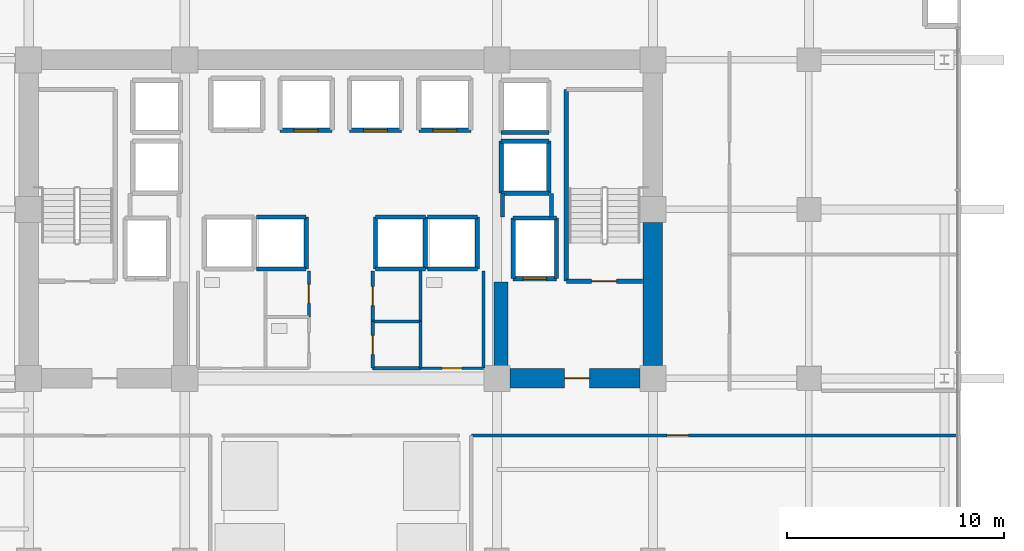
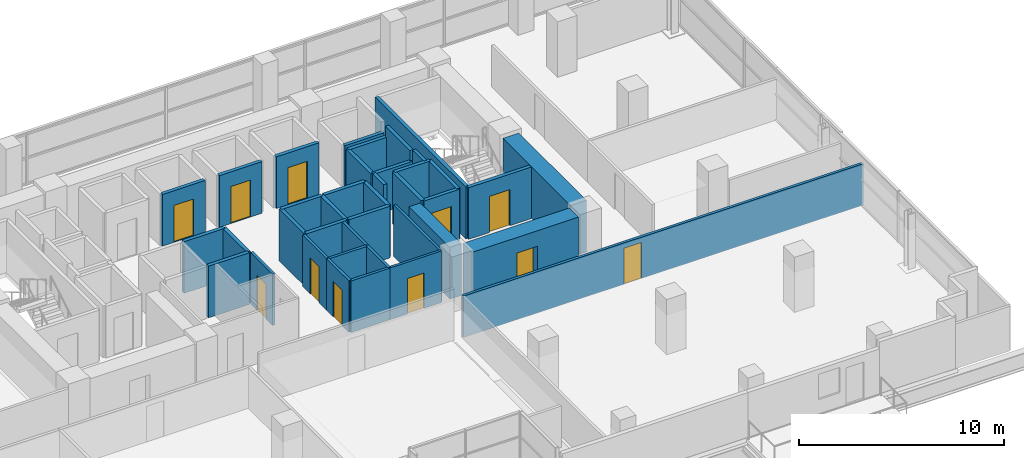
# One storey, part 26 of 32: 39 walls, 11 doors, 11 openings.
"""IFC4 building model written with IfcOpenShell, lengths in metres."""

from ifc_helpers import new_model, si_unit, direction, frame, frame_2d, origin, place, context, subcontext, project, spatial, rectangle, extrude, source, transform, mapped, material, layer, layer_set, type_object, element, fill, save


model = new_model("IFC4")

# Units and contexts
model_context = context("Model", 3, precision=1e-05, world=origin(), true_north=direction((0.0, 1.0)))
body_context = subcontext(model_context, "Body", "Model", "MODEL_VIEW")
ifc_project = project(units=[si_unit("LENGTHUNIT", "METRE"), si_unit("AREAUNIT", "SQUARE_METRE"), si_unit("VOLUMEUNIT", "CUBIC_METRE"), si_unit("PLANEANGLEUNIT", "RADIAN"), si_unit("MASSUNIT", "GRAM", prefix="KILO")], contexts=[model_context])

# Site, building, storey
site_placement = place(None, origin())
site = spatial("IfcSite", under=ifc_project, at=site_placement, CompositionType="ELEMENT")
building_placement = place(site_placement, origin())
building = spatial("IfcBuilding", under=site, at=building_placement, Name="Zarnakvel Exchange Tower", CompositionType="ELEMENT")
storey_placement = place(building_placement, frame((0.0, 0.0, 27.39990234375)))
storey = spatial("IfcBuildingStorey", under=building, at=storey_placement, Name="L06", CompositionType="ELEMENT", Elevation=27.39990234375)

# Wall
ifc_material_1 = material(Name="Concrete C80/95", Category="concrete")
ifc_layer_1 = layer(ifc_material_1, 0.89990234375)
ifc_layer_set_1 = layer_set([ifc_layer_1], Name="Concrete C80/95")
wall_type_1 = type_object("IfcWallType", Name="CW-C1", PredefinedType="SHEAR", material=ifc_layer_set_1)
wall_1_placement = place(storey_placement, frame((14.39990234375, -0.60009765625, 0.0), z_axis=(0.0, 0.0, 1.0), x_axis=(0.0, 1.0, 0.0)))
element("IfcWall", 1, at=wall_1_placement, inside=storey, type_object=wall_type_1, Name="L06 Rear Core Shear Wall E1 (CW-C1)", PredefinedType="SHEAR", context=body_context, shape_type="SweptSolid", body=[
    extrude(rectangle(XDim=6.60009765625, YDim=0.89990234375, at=frame_2d((3.300048828125, 0.0))), origin(), (0.0, 0.0, 1.0), 3.0751953125),
])

# Wall, opening, door
wall_2_placement = place(storey_placement, frame((13.800048828125, -1.199951171875, 0.0), z_axis=(0.0, 0.0, 1.0), x_axis=(-1.0, 0.0, 0.0)))
wall_2 = element("IfcWall", 2, at=wall_2_placement, inside=storey, type_object=wall_type_1, Name="L06 Rear Core Shear Wall SE (CW-C1)", PredefinedType="SHEAR", context=body_context, shape_type="SweptSolid", body=[
    extrude(rectangle(XDim=6.0, YDim=0.89990234375, at=frame_2d((3.0, 0.0))), origin(), (0.0, 0.0, 1.0), 3.0751953125),
])
opening_1_placement = place(wall_2_placement, frame((2.324951171875, 0.0, 0.0)))
opening_1 = element("IfcOpeningElement", 3, at=opening_1_placement, cuts=wall_2, Name="Opening D-L06-04", PredefinedType="OPENING", context=body_context, shape_type="SweptSolid", body=[
    extrude(rectangle(XDim=1.14990234375, YDim=2.14990234375, at=frame_2d((0.574951171875, 1.074951171875))), frame((0.0, 0.4599609375, 0.0), z_axis=(0.0, -1.0, 0.0), x_axis=(1.0, 0.0, 0.0)), (0.0, 0.0, 1.0), 0.919921875),
])
ifc_material_2 = material(Name="Painted Galvanised Steel S355", Category="steel")
door_type_1 = type_object("IfcDoorType", Name="DT-04", OperationType="NOTDEFINED", PredefinedType="DOOR", material=ifc_material_2)
shared_shape_1 = source(origin(), body_context, "Body", "SweptSolid", [
    extrude(rectangle(XDim=1.14990234375, YDim=2.14990234375, at=frame_2d((0.574951171875, 1.074951171875))), frame((0.0, 0.02490234375, 0.0), z_axis=(0.0, -1.0, 0.0), x_axis=(1.0, 0.0, 0.0)), (0.0, 0.0, 1.0), 0.050048828125),
])
door_1_placement = place(opening_1_placement, origin())
door_1 = element("IfcDoor", 4, at=door_1_placement, inside=storey, type_object=door_type_1, Name="L06 Firefighting Lobby East Door D-L06-04", OperationType="SINGLE_SWING_LEFT", OverallHeight=2.14990234375, OverallWidth=1.14990234375, PredefinedType="DOOR", context=body_context, shape_type="MappedRepresentation", body=[
    mapped(shared_shape_1, transform((0.0, 0.0, 0.0), x_axis=(1.0, 0.0, 0.0), y_axis=(0.0, 1.0, 0.0), z_axis=(0.0, 0.0, 1.0), scale=1.0)),
])
fill(opening_1, door_1)

# Wall
ifc_layer_2 = layer(ifc_material_1, 0.64990234375)
ifc_layer_set_2 = layer_set([ifc_layer_2], Name="Concrete C80/95")
wall_type_2 = type_object("IfcWallType", Name="CW-C2", PredefinedType="SHEAR", material=ifc_layer_set_2)
wall_3_placement = place(storey_placement, frame((7.39990234375, -0.75, 0.0), z_axis=(0.0, 0.0, 1.0), x_axis=(0.0, 1.0, 0.0)))
element("IfcWall", 5, at=wall_3_placement, inside=storey, type_object=wall_type_2, Name="L06 Rear Core Shear Wall IE (CW-C2)", PredefinedType="SHEAR", context=body_context, shape_type="SweptSolid", body=[
    extrude(rectangle(XDim=4.0, YDim=0.64990234375, at=frame_2d((2.0, 0.0))), origin(), (0.0, 0.0, 1.0), 3.0751953125),
])

# Wall, opening, door
ifc_material_3 = material(Name="Fire-Rated Gypsum Stud Partition", Category="gypsum")
ifc_layer_3 = layer(ifc_material_3, 0.14990234375)
ifc_layer_set_3 = layer_set([ifc_layer_3], Name="Fire-Rated Gypsum Stud Partition")
wall_type_3 = type_object("IfcWallType", Name="PT-01", PredefinedType="PARTITIONING", material=ifc_layer_set_3)
wall_4_placement = place(storey_placement, frame((-1.469970703125, 3.760009765625, 0.0), z_axis=(0.0, 0.0, 1.0), x_axis=(0.0, -1.0, 0.0)))
wall_4 = element("IfcWall", 6, at=wall_4_placement, inside=storey, type_object=wall_type_3, Name="L06 Partition Wall PWALL-L06-017 (PT-01)", PredefinedType="PARTITIONING", context=body_context, shape_type="SweptSolid", body=[
    extrude(rectangle(XDim=2.130126953125, YDim=0.14990234375, at=frame_2d((1.06494140625, 0.0))), origin(), (0.0, 0.0, 1.0), 3.0751953125),
])
opening_2_placement = place(wall_4_placement, frame((0.6201171875, 0.0, 0.0)))
opening_2 = element("IfcOpeningElement", 7, at=opening_2_placement, cuts=wall_4, Name="Opening D-L06-07", PredefinedType="OPENING", context=body_context, shape_type="SweptSolid", body=[
    extrude(rectangle(XDim=0.8798828125, YDim=2.10009765625, at=frame_2d((0.43994140625, 1.050048828125))), frame((0.0, 0.0849609375, 0.0), z_axis=(0.0, -1.0, 0.0), x_axis=(1.0, 0.0, 0.0)), (0.0, 0.0, 1.0), 0.169921875),
])
door_type_2 = type_object("IfcDoorType", Name="DT-08", OperationType="NOTDEFINED", PredefinedType="DOOR", material=ifc_material_2)
shared_shape_2 = source(origin(), body_context, "Body", "SweptSolid", [
    extrude(rectangle(XDim=0.8798828125, YDim=2.10009765625, at=frame_2d((0.43994140625, 1.050048828125))), frame((0.0, 0.02490234375, 0.0), z_axis=(0.0, -1.0, 0.0), x_axis=(1.0, 0.0, 0.0)), (0.0, 0.0, 1.0), 0.050048828125),
])
door_2_placement = place(opening_2_placement, origin())
door_2 = element("IfcDoor", 8, at=door_2_placement, inside=storey, type_object=door_type_2, Name="L06 Core Comms Room Door D-L06-07", OperationType="SINGLE_SWING_RIGHT", OverallHeight=2.10009765625, OverallWidth=0.8798828125, PredefinedType="DOOR", context=body_context, shape_type="MappedRepresentation", body=[
    mapped(shared_shape_2, transform((0.0, 0.0, 0.0), x_axis=(1.0, 0.0, 0.0), y_axis=(0.0, 1.0, 0.0), z_axis=(0.0, 0.0, 1.0), scale=1.0)),
])
fill(opening_2, door_2)

# Walls
for number, where, z_axis, x_axis, name in (
    (9, (3.679931640625, -0.72998046875, 0.0), (0.0, 0.0, 1.0), (-1.0, 0.0, 0.0), "L06 Partition Wall PWALL-L06-018 (PT-01)"),
    (10, (1.469970703125, 1.429931640625, 0.0), (0.0, 0.0, 1.0), (1.0, 0.0, 0.0), "L06 Partition Wall PWALL-L06-019 (PT-01)"),
):
    element("IfcWall", number, at=place(storey_placement, frame(where, z_axis=z_axis, x_axis=x_axis)), inside=storey, type_object=wall_type_3, Name=name, PredefinedType="PARTITIONING", context=body_context, shape_type="SweptSolid", body=[
        extrude(rectangle(XDim=2.2099609375, YDim=0.14990234375, at=frame_2d((1.10498046875, 0.0))), origin(), (0.0, 0.0, 1.0), 3.0751953125),
    ])

# Wall, opening, door
wall_5_placement = place(storey_placement, frame((1.469970703125, -0.72998046875, 0.0), z_axis=(0.0, 0.0, 1.0), x_axis=(0.0, 1.0, 0.0)))
wall_5 = element("IfcWall", 11, at=wall_5_placement, inside=storey, type_object=wall_type_3, Name="L06 Partition Wall PWALL-L06-020 (PT-01)", PredefinedType="PARTITIONING", context=body_context, shape_type="SweptSolid", body=[
    extrude(rectangle(XDim=2.159912109375, YDim=0.14990234375, at=frame_2d((1.080078125, 0.0))), origin(), (0.0, 0.0, 1.0), 3.0751953125),
])
opening_3_placement = place(wall_5_placement, frame((0.639892578125, 0.0, 0.0)))
opening_3 = element("IfcOpeningElement", 12, at=opening_3_placement, cuts=wall_5, Name="Opening D-L06-08", PredefinedType="OPENING", context=body_context, shape_type="SweptSolid", body=[
    extrude(rectangle(XDim=0.8798828125, YDim=2.10009765625, at=frame_2d((0.43994140625, 1.050048828125))), frame((0.0, 0.0849609375, 0.0), z_axis=(0.0, -1.0, 0.0), x_axis=(1.0, 0.0, 0.0)), (0.0, 0.0, 1.0), 0.169921875),
])
door_3_placement = place(opening_3_placement, origin())
door_3 = element("IfcDoor", 13, at=door_3_placement, inside=storey, type_object=door_type_2, Name="L06 Janitor Store Door D-L06-08", OperationType="SINGLE_SWING_LEFT", OverallHeight=2.10009765625, OverallWidth=0.8798828125, PredefinedType="DOOR", context=body_context, shape_type="MappedRepresentation", body=[
    mapped(shared_shape_2, transform((0.0, 0.0, 0.0), x_axis=(1.0, 0.0, 0.0), y_axis=(0.0, 1.0, 0.0), z_axis=(0.0, 0.0, 1.0), scale=1.0)),
])
fill(opening_3, door_3)

# Wall
wall_6_placement = place(storey_placement, frame((3.679931640625, 1.429931640625, 0.0), z_axis=(0.0, 0.0, 1.0), x_axis=(0.0, -1.0, 0.0)))
element("IfcWall", 14, at=wall_6_placement, inside=storey, type_object=wall_type_3, Name="L06 Partition Wall PWALL-L06-021 (PT-01)", PredefinedType="PARTITIONING", context=body_context, shape_type="SweptSolid", body=[
    extrude(rectangle(XDim=2.159912109375, YDim=0.14990234375, at=frame_2d((1.080078125, 0.0))), origin(), (0.0, 0.0, 1.0), 3.0751953125),
])

# Wall, opening, door
wall_7_placement = place(storey_placement, frame((1.469970703125, 1.429931640625, 0.0), z_axis=(0.0, 0.0, 1.0), x_axis=(0.0, 1.0, 0.0)))
wall_7 = element("IfcWall", 15, at=wall_7_placement, inside=storey, type_object=wall_type_3, Name="L06 Partition Wall PWALL-L06-022 (PT-01)", PredefinedType="PARTITIONING", context=body_context, shape_type="SweptSolid", body=[
    extrude(rectangle(XDim=2.330078125, YDim=0.14990234375, at=frame_2d((1.1650390625, 0.0))), origin(), (0.0, 0.0, 1.0), 3.0751953125),
])
opening_4_placement = place(wall_7_placement, frame((0.72998046875, 0.0, 0.0)))
opening_4 = element("IfcOpeningElement", 16, at=opening_4_placement, cuts=wall_7, Name="Opening D-L06-09", PredefinedType="OPENING", context=body_context, shape_type="SweptSolid", body=[
    extrude(rectangle(XDim=0.8798828125, YDim=2.14990234375, at=frame_2d((0.43994140625, 1.074951171875))), frame((0.0, 0.0849609375, 0.0), z_axis=(0.0, -1.0, 0.0), x_axis=(1.0, 0.0, 0.0)), (0.0, 0.0, 1.0), 0.169921875),
])
ifc_material_4 = material(Name="Timber Acoustic Veneer", Category="wood")
door_type_3 = type_object("IfcDoorType", Name="DT-05", OperationType="NOTDEFINED", PredefinedType="DOOR", material=ifc_material_4)
shared_shape_3 = source(origin(), body_context, "Body", "SweptSolid", [
    extrude(rectangle(XDim=0.8798828125, YDim=2.14990234375, at=frame_2d((0.43994140625, 1.074951171875))), frame((0.0, 0.02490234375, 0.0), z_axis=(0.0, -1.0, 0.0), x_axis=(1.0, 0.0, 0.0)), (0.0, 0.0, 1.0), 0.050048828125),
])
door_4_placement = place(opening_4_placement, origin())
door_4 = element("IfcDoor", 17, at=door_4_placement, inside=storey, type_object=door_type_3, Name="L06 Stationery Store Door D-L06-09", OperationType="SINGLE_SWING_RIGHT", OverallHeight=2.14990234375, OverallWidth=0.8798828125, PredefinedType="DOOR", context=body_context, shape_type="MappedRepresentation", body=[
    mapped(shared_shape_3, transform((0.0, 0.0, 0.0), x_axis=(1.0, 0.0, 0.0), y_axis=(0.0, 1.0, 0.0), z_axis=(0.0, 0.0, 1.0), scale=1.0)),
])
fill(opening_4, door_4)

# Wall
wall_8_placement = place(storey_placement, frame((3.679931640625, 3.760009765625, 0.0), z_axis=(0.0, 0.0, 1.0), x_axis=(0.0, -1.0, 0.0)))
element("IfcWall", 18, at=wall_8_placement, inside=storey, type_object=wall_type_3, Name="L06 Partition Wall PWALL-L06-023 (PT-01)", PredefinedType="PARTITIONING", context=body_context, shape_type="SweptSolid", body=[
    extrude(rectangle(XDim=2.330078125, YDim=0.14990234375, at=frame_2d((1.1650390625, 0.0))), origin(), (0.0, 0.0, 1.0), 3.0751953125),
])

# Wall, opening, door
wall_9_placement = place(storey_placement, frame((6.02001953125, -3.830078125, 0.0), z_axis=(0.0, 0.0, 1.0), x_axis=(1.0, 0.0, 0.0)))
wall_9 = element("IfcWall", 19, at=wall_9_placement, inside=storey, type_object=wall_type_3, Name="L06 Partition Wall PWALL-L06-035 (PT-01)", PredefinedType="PARTITIONING", context=body_context, shape_type="SweptSolid", body=[
    extrude(rectangle(XDim=22.510009765625, YDim=0.14990234375, at=frame_2d((11.2548828125, 0.0))), origin(), (0.0, 0.0, 1.0), 2.465087890625),
])
opening_5_placement = place(wall_9_placement, frame((9.0400390625, 0.0, 0.0)))
opening_5 = element("IfcOpeningElement", 20, at=opening_5_placement, cuts=wall_9, Name="Opening D-L06-13", PredefinedType="OPENING", context=body_context, shape_type="SweptSolid", body=[
    extrude(rectangle(XDim=0.97998046875, YDim=2.14990234375, at=frame_2d((0.489990234375, 1.074951171875))), frame((0.0, 0.0849609375, 0.0), z_axis=(0.0, -1.0, 0.0), x_axis=(1.0, 0.0, 0.0)), (0.0, 0.0, 1.0), 0.169921875),
])
shared_shape_4 = source(origin(), body_context, "Body", "SweptSolid", [
    extrude(rectangle(XDim=0.97998046875, YDim=2.14990234375, at=frame_2d((0.489990234375, 1.074951171875))), frame((0.0, 0.02490234375, 0.0), z_axis=(0.0, -1.0, 0.0), x_axis=(1.0, 0.0, 0.0)), (0.0, 0.0, 1.0), 0.050048828125),
])
door_5_placement = place(opening_5_placement, origin())
door_5 = element("IfcDoor", 21, at=door_5_placement, inside=storey, type_object=door_type_3, Name="L06 Executive Office Door D-L06-13", OperationType="SINGLE_SWING_RIGHT", OverallHeight=2.14990234375, OverallWidth=0.97998046875, PredefinedType="DOOR", context=body_context, shape_type="MappedRepresentation", body=[
    mapped(shared_shape_4, transform((0.0, 0.0, 0.0), x_axis=(1.0, 0.0, 0.0), y_axis=(0.0, 1.0, 0.0), z_axis=(0.0, 0.0, 1.0), scale=1.0)),
])
fill(opening_5, door_5)

# Walls
ifc_layer_4 = layer(ifc_material_3, 0.179931640625)
ifc_layer_set_4 = layer_set([ifc_layer_4], Name="Fire-Rated Gypsum Stud Partition")
wall_type_4 = type_object("IfcWallType", Name="PT-02", PredefinedType="PARTITIONING", material=ifc_layer_set_4)
wall_10_placement = place(storey_placement, frame((7.469970703125, 6.239990234375, 0.0), z_axis=(0.0, 0.0, 1.0), x_axis=(0.0, 1.0, 0.0)))
element("IfcWall", 22, at=wall_10_placement, inside=storey, type_object=wall_type_4, Name="L06 Partition Wall PWALL-L06-009 (PT-02)", PredefinedType="PARTITIONING", context=body_context, shape_type="SweptSolid", body=[
    extrude(rectangle(XDim=1.090087890625, YDim=0.179931640625, at=frame_2d((0.544921875, 0.0))), origin(), (0.0, 0.0, 1.0), 2.465087890625),
])
wall_11_placement = place(storey_placement, frame((9.72998046875, 7.330078125, 0.0), z_axis=(0.0, 0.0, 1.0), x_axis=(0.0, -1.0, 0.0)))
element("IfcWall", 23, at=wall_11_placement, inside=storey, type_object=wall_type_4, Name="L06 Partition Wall PWALL-L06-010 (PT-02)", PredefinedType="PARTITIONING", context=body_context, shape_type="SweptSolid", body=[
    extrude(rectangle(XDim=1.090087890625, YDim=0.179931640625, at=frame_2d((0.544921875, 0.0))), origin(), (0.0, 0.0, 1.0), 3.0751953125),
])

# Wall, opening, door
ifc_material_5 = material(Name="Moisture-Resistant Tile-Faced Partition", Category="gypsum")
ifc_layer_5 = layer(ifc_material_5, 0.135009765625)
ifc_layer_set_5 = layer_set([ifc_layer_5], Name="Moisture-Resistant Tile-Faced Partition")
wall_type_5 = type_object("IfcWallType", Name="PT-03", PredefinedType="PARTITIONING", material=ifc_layer_set_5)
wall_12_placement = place(storey_placement, frame((6.580078125, -0.72998046875, 0.0), z_axis=(0.0, 0.0, 1.0), x_axis=(-1.0, 0.0, 0.0)))
wall_12 = element("IfcWall", 24, at=wall_12_placement, inside=storey, type_object=wall_type_5, Name="L06 Partition Wall PWALL-L06-024 (PT-03)", PredefinedType="PARTITIONING", context=body_context, shape_type="SweptSolid", body=[
    extrude(rectangle(XDim=2.900146484375, YDim=0.135009765625, at=frame_2d((1.4501953125, 0.0))), origin(), (0.0, 0.0, 1.0), 3.0751953125),
])
opening_6_placement = place(wall_12_placement, frame((0.989990234375, 0.0, 0.0)))
opening_6 = element("IfcOpeningElement", 25, at=opening_6_placement, cuts=wall_12, Name="Opening D-L06-10", PredefinedType="OPENING", context=body_context, shape_type="SweptSolid", body=[
    extrude(rectangle(XDim=0.919921875, YDim=2.10009765625, at=frame_2d((0.4599609375, 1.050048828125))), frame((0.0, 0.077392578125, 0.0), z_axis=(0.0, -1.0, 0.0), x_axis=(1.0, 0.0, 0.0)), (0.0, 0.0, 1.0), 0.155029296875),
])
ifc_material_6 = material(Name="Moisture-Resistant Laminate Timber", Category="wood")
door_type_4 = type_object("IfcDoorType", Name="DT-07", OperationType="NOTDEFINED", PredefinedType="DOOR", material=ifc_material_6)
shared_shape_5 = source(origin(), body_context, "Body", "SweptSolid", [
    extrude(rectangle(XDim=0.919921875, YDim=2.10009765625, at=frame_2d((0.4599609375, 1.050048828125))), frame((0.0, 0.02490234375, 0.0), z_axis=(0.0, -1.0, 0.0), x_axis=(1.0, 0.0, 0.0)), (0.0, 0.0, 1.0), 0.050048828125),
])
door_6_placement = place(opening_6_placement, origin())
door_6 = element("IfcDoor", 26, at=door_6_placement, inside=storey, type_object=door_type_4, Name="L06 Female Toilet Door D-L06-10", OperationType="SINGLE_SWING_LEFT", OverallHeight=2.10009765625, OverallWidth=0.919921875, PredefinedType="DOOR", context=body_context, shape_type="MappedRepresentation", body=[
    mapped(shared_shape_5, transform((0.0, 0.0, 0.0), x_axis=(1.0, 0.0, 0.0), y_axis=(0.0, 1.0, 0.0), z_axis=(0.0, 0.0, 1.0), scale=1.0)),
])
fill(opening_6, door_6)

# Wall
wall_13_placement = place(storey_placement, frame((6.580078125, 3.760009765625, 0.0), z_axis=(0.0, 0.0, 1.0), x_axis=(0.0, -1.0, 0.0)))
element("IfcWall", 27, at=wall_13_placement, inside=storey, type_object=wall_type_5, Name="L06 Partition Wall PWALL-L06-025 (PT-03)", PredefinedType="PARTITIONING", context=body_context, shape_type="SweptSolid", body=[
    extrude(rectangle(XDim=4.489990234375, YDim=0.135009765625, at=frame_2d((2.2451171875, 0.0))), origin(), (0.0, 0.0, 1.0), 3.0751953125),
])

# Wall, opening, door
ifc_material_7 = material(Name="Concrete C40/50", Category="concrete")
ifc_layer_6 = layer(ifc_material_7, 0.199951171875)
ifc_layer_set_6 = layer_set([ifc_layer_6], Name="Concrete C40/50")
wall_type_6 = type_object("IfcWallType", Name="SW-01", PredefinedType="SOLIDWALL", material=ifc_layer_set_6)
wall_14_placement = place(storey_placement, frame((9.949951171875, 3.39990234375, 0.0), z_axis=(0.0, 0.0, 1.0), x_axis=(-1.0, 0.0, 0.0)))
wall_14 = element("IfcWall", 28, at=wall_14_placement, inside=storey, type_object=wall_type_6, Name="L06 FL-02 Hoistway Wall South", PredefinedType="SOLIDWALL", context=body_context, shape_type="SweptSolid", body=[
    extrude(rectangle(XDim=2.0, YDim=0.199951171875, at=frame_2d((1.0, 0.0))), origin(), (0.0, 0.0, 1.0), 3.0751953125),
])
opening_7_placement = place(wall_14_placement, frame((0.449951171875, 0.0, 0.0)))
opening_7 = element("IfcOpeningElement", 29, at=opening_7_placement, cuts=wall_14, Name="Opening LD-FL-02-L06", PredefinedType="OPENING", context=body_context, shape_type="SweptSolid", body=[
    extrude(rectangle(XDim=1.10009765625, YDim=2.199951171875, at=frame_2d((0.550048828125, 1.10009765625))), frame((0.0, 0.10986328125, 0.0), z_axis=(0.0, -1.0, 0.0), x_axis=(1.0, 0.0, 0.0)), (0.0, 0.0, 1.0), 0.219970703125),
])
ifc_material_8 = material(Name="Brushed Stainless Steel", Category="steel")
door_type_5 = type_object("IfcDoorType", Name="LDT-01", OperationType="NOTDEFINED", PredefinedType="DOOR", material=ifc_material_8)
shared_shape_6 = source(origin(), body_context, "Body", "SweptSolid", [
    extrude(rectangle(XDim=1.10009765625, YDim=2.199951171875, at=frame_2d((0.550048828125, 1.10009765625))), frame((0.0, 0.02490234375, 0.0), z_axis=(0.0, -1.0, 0.0), x_axis=(1.0, 0.0, 0.0)), (0.0, 0.0, 1.0), 0.050048828125),
])
door_7_placement = place(opening_7_placement, origin())
door_7 = element("IfcDoor", 30, at=door_7_placement, inside=storey, type_object=door_type_5, Name="L06 FL-02 Lift Landing Door LD-FL-02-L06", OperationType="DOUBLE_DOOR_SLIDING", OverallHeight=2.199951171875, OverallWidth=1.10009765625, PredefinedType="DOOR", context=body_context, shape_type="MappedRepresentation", body=[
    mapped(shared_shape_6, transform((0.0, 0.0, 0.0), x_axis=(1.0, 0.0, 0.0), y_axis=(0.0, 1.0, 0.0), z_axis=(0.0, 0.0, 1.0), scale=1.0)),
])
fill(opening_7, door_7)

# Walls
wall_15_placement = place(storey_placement, frame((7.949951171875, 6.199951171875, 0.0), z_axis=(0.0, 0.0, 1.0), x_axis=(1.0, 0.0, 0.0)))
element("IfcWall", 31, at=wall_15_placement, inside=storey, type_object=wall_type_6, Name="L06 FL-02 Hoistway Wall North", PredefinedType="SOLIDWALL", context=body_context, shape_type="SweptSolid", body=[
    extrude(rectangle(XDim=2.0, YDim=0.199951171875, at=frame_2d((1.0, 0.0))), origin(), (0.0, 0.0, 1.0), 3.0751953125),
])
for number, where, z_axis, x_axis, name in (
    (32, (7.949951171875, 3.39990234375, 0.0), (0.0, 0.0, 1.0), (0.0, 1.0, 0.0), "L06 FL-02 Hoistway Wall West"),
    (33, (9.949951171875, 6.199951171875, 0.0), (0.0, 0.0, 1.0), (0.0, -1.0, 0.0), "L06 FL-02 Hoistway Wall East"),
):
    element("IfcWall", number, at=place(storey_placement, frame(where, z_axis=z_axis, x_axis=x_axis)), inside=storey, type_object=wall_type_6, Name=name, PredefinedType="SOLIDWALL", context=body_context, shape_type="SweptSolid", body=[
        extrude(rectangle(XDim=2.800048828125, YDim=0.199951171875, at=frame_2d((1.39990234375, 0.0))), origin(), (0.0, 0.0, 1.0), 3.0751953125),
    ])

# Wall, opening, door
wall_16_placement = place(storey_placement, frame((-0.39990234375, 10.25, 0.0), z_axis=(0.0, 0.0, 1.0), x_axis=(-1.0, 0.0, 0.0)))
wall_16 = element("IfcWall", 34, at=wall_16_placement, inside=storey, type_object=wall_type_6, Name="L06 PL-02 Hoistway Wall South", PredefinedType="SOLIDWALL", context=body_context, shape_type="SweptSolid", body=[
    extrude(rectangle(XDim=2.400146484375, YDim=0.199951171875, at=frame_2d((1.2001953125, 0.0))), origin(), (0.0, 0.0, 1.0), 3.0751953125),
])
opening_8_placement = place(wall_16_placement, frame((0.64990234375, 0.0, 0.0)))
opening_8 = element("IfcOpeningElement", 35, at=opening_8_placement, cuts=wall_16, Name="Opening LD-PL-02-L06", PredefinedType="OPENING", context=body_context, shape_type="SweptSolid", body=[
    extrude(rectangle(XDim=1.10009765625, YDim=2.199951171875, at=frame_2d((0.550048828125, 1.10009765625))), frame((0.0, 0.10986328125, 0.0), z_axis=(0.0, -1.0, 0.0), x_axis=(1.0, 0.0, 0.0)), (0.0, 0.0, 1.0), 0.219970703125),
])
ifc_material_9 = material(Name="Architectural Bronze Anodised Aluminium", Category="aluminium")
door_type_6 = type_object("IfcDoorType", Name="LDT-02", OperationType="NOTDEFINED", PredefinedType="DOOR", material=ifc_material_9)
door_8_placement = place(opening_8_placement, origin())
door_8 = element("IfcDoor", 36, at=door_8_placement, inside=storey, type_object=door_type_6, Name="L06 PL-02 Lift Landing Door LD-PL-02-L06", OperationType="DOUBLE_DOOR_SLIDING", OverallHeight=2.199951171875, OverallWidth=1.10009765625, PredefinedType="DOOR", context=body_context, shape_type="MappedRepresentation", body=[
    mapped(shared_shape_6, transform((0.0, 0.0, 0.0), x_axis=(1.0, 0.0, 0.0), y_axis=(0.0, 1.0, 0.0), z_axis=(0.0, 0.0, 1.0), scale=1.0)),
])
fill(opening_8, door_8)

wall_17_placement = place(storey_placement, frame((2.800048828125, 10.25, 0.0), z_axis=(0.0, 0.0, 1.0), x_axis=(-1.0, 0.0, 0.0)))
wall_17 = element("IfcWall", 37, at=wall_17_placement, inside=storey, type_object=wall_type_6, Name="L06 PL-03 Hoistway Wall South", PredefinedType="SOLIDWALL", context=body_context, shape_type="SweptSolid", body=[
    extrude(rectangle(XDim=2.400146484375, YDim=0.199951171875, at=frame_2d((1.2001953125, 0.0))), origin(), (0.0, 0.0, 1.0), 3.0751953125),
])
opening_9_placement = place(wall_17_placement, frame((0.64990234375, 0.0, 0.0)))
opening_9 = element("IfcOpeningElement", 38, at=opening_9_placement, cuts=wall_17, Name="Opening LD-PL-03-L06", PredefinedType="OPENING", context=body_context, shape_type="SweptSolid", body=[
    extrude(rectangle(XDim=1.10009765625, YDim=2.199951171875, at=frame_2d((0.550048828125, 1.10009765625))), frame((0.0, 0.10986328125, 0.0), z_axis=(0.0, -1.0, 0.0), x_axis=(1.0, 0.0, 0.0)), (0.0, 0.0, 1.0), 0.219970703125),
])
door_9_placement = place(opening_9_placement, origin())
door_9 = element("IfcDoor", 39, at=door_9_placement, inside=storey, type_object=door_type_6, Name="L06 PL-03 Lift Landing Door LD-PL-03-L06", OperationType="DOUBLE_DOOR_SLIDING", OverallHeight=2.199951171875, OverallWidth=1.10009765625, PredefinedType="DOOR", context=body_context, shape_type="MappedRepresentation", body=[
    mapped(shared_shape_6, transform((0.0, 0.0, 0.0), x_axis=(1.0, 0.0, 0.0), y_axis=(0.0, 1.0, 0.0), z_axis=(0.0, 0.0, 1.0), scale=1.0)),
])
fill(opening_9, door_9)

wall_18_placement = place(storey_placement, frame((6.0, 10.25, 0.0), z_axis=(0.0, 0.0, 1.0), x_axis=(-1.0, 0.0, 0.0)))
wall_18 = element("IfcWall", 40, at=wall_18_placement, inside=storey, type_object=wall_type_6, Name="L06 PL-04 Hoistway Wall South", PredefinedType="SOLIDWALL", context=body_context, shape_type="SweptSolid", body=[
    extrude(rectangle(XDim=2.39990234375, YDim=0.199951171875, at=frame_2d((1.199951171875, 0.0))), origin(), (0.0, 0.0, 1.0), 3.0751953125),
])
opening_10_placement = place(wall_18_placement, frame((0.64990234375, 0.0, 0.0)))
opening_10 = element("IfcOpeningElement", 41, at=opening_10_placement, cuts=wall_18, Name="Opening LD-PL-04-L06", PredefinedType="OPENING", context=body_context, shape_type="SweptSolid", body=[
    extrude(rectangle(XDim=1.10009765625, YDim=2.199951171875, at=frame_2d((0.550048828125, 1.10009765625))), frame((0.0, 0.10986328125, 0.0), z_axis=(0.0, -1.0, 0.0), x_axis=(1.0, 0.0, 0.0)), (0.0, 0.0, 1.0), 0.219970703125),
])
door_10_placement = place(opening_10_placement, origin())
door_10 = element("IfcDoor", 42, at=door_10_placement, inside=storey, type_object=door_type_6, Name="L06 PL-04 Lift Landing Door LD-PL-04-L06", OperationType="DOUBLE_DOOR_SLIDING", OverallHeight=2.199951171875, OverallWidth=1.10009765625, PredefinedType="DOOR", context=body_context, shape_type="MappedRepresentation", body=[
    mapped(shared_shape_6, transform((0.0, 0.0, 0.0), x_axis=(1.0, 0.0, 0.0), y_axis=(0.0, 1.0, 0.0), z_axis=(0.0, 0.0, 1.0), scale=1.0)),
])
fill(opening_10, door_10)

# Walls
for number, where, z_axis, x_axis, name in (
    (43, (-1.60009765625, 3.85009765625, 0.0), (0.0, 0.0, 1.0), (-1.0, 0.0, 0.0), "L06 PL-06 Hoistway Wall South"),
    (44, (-3.89990234375, 6.25, 0.0), (0.0, 0.0, 1.0), (1.0, 0.0, 0.0), "L06 PL-06 Hoistway Wall North"),
):
    element("IfcWall", number, at=place(storey_placement, frame(where, z_axis=z_axis, x_axis=x_axis)), inside=storey, type_object=wall_type_6, Name=name, PredefinedType="SOLIDWALL", context=body_context, shape_type="SweptSolid", body=[
        extrude(rectangle(XDim=2.2998046875, YDim=0.199951171875, at=frame_2d((1.14990234375, 0.0))), origin(), (0.0, 0.0, 1.0), 3.0751953125),
    ])
wall_19_placement = place(storey_placement, frame((-1.60009765625, 6.25, 0.0), z_axis=(0.0, 0.0, 1.0), x_axis=(0.0, -1.0, 0.0)))
element("IfcWall", 45, at=wall_19_placement, inside=storey, type_object=wall_type_6, Name="L06 PL-06 Hoistway Wall East", PredefinedType="SOLIDWALL", context=body_context, shape_type="SweptSolid", body=[
    extrude(rectangle(XDim=2.39990234375, YDim=0.199951171875, at=frame_2d((1.199951171875, 0.0))), origin(), (0.0, 0.0, 1.0), 3.0751953125),
])
for number, where, z_axis, x_axis, name in (
    (46, (3.89990234375, 3.85009765625, 0.0), (0.0, 0.0, 1.0), (-1.0, 0.0, 0.0), "L06 PL-07 Hoistway Wall South"),
    (47, (1.60009765625, 6.25, 0.0), (0.0, 0.0, 1.0), (1.0, 0.0, 0.0), "L06 PL-07 Hoistway Wall North"),
):
    element("IfcWall", number, at=place(storey_placement, frame(where, z_axis=z_axis, x_axis=x_axis)), inside=storey, type_object=wall_type_6, Name=name, PredefinedType="SOLIDWALL", context=body_context, shape_type="SweptSolid", body=[
        extrude(rectangle(XDim=2.2998046875, YDim=0.199951171875, at=frame_2d((1.14990234375, 0.0))), origin(), (0.0, 0.0, 1.0), 3.0751953125),
    ])
for number, where, z_axis, x_axis, name in (
    (48, (1.60009765625, 3.85009765625, 0.0), (0.0, 0.0, 1.0), (0.0, 1.0, 0.0), "L06 PL-07 Hoistway Wall West"),
    (49, (3.89990234375, 6.25, 0.0), (0.0, 0.0, 1.0), (0.0, -1.0, 0.0), "L06 PL-07 Hoistway Wall East"),
):
    element("IfcWall", number, at=place(storey_placement, frame(where, z_axis=z_axis, x_axis=x_axis)), inside=storey, type_object=wall_type_6, Name=name, PredefinedType="SOLIDWALL", context=body_context, shape_type="SweptSolid", body=[
        extrude(rectangle(XDim=2.39990234375, YDim=0.199951171875, at=frame_2d((1.199951171875, 0.0))), origin(), (0.0, 0.0, 1.0), 3.0751953125),
    ])
for number, where, z_axis, x_axis, name in (
    (50, (6.300048828125, 3.85009765625, 0.0), (0.0, 0.0, 1.0), (-1.0, 0.0, 0.0), "L06 PL-08 Hoistway Wall South"),
    (51, (4.0, 6.25, 0.0), (0.0, 0.0, 1.0), (1.0, 0.0, 0.0), "L06 PL-08 Hoistway Wall North"),
):
    element("IfcWall", number, at=place(storey_placement, frame(where, z_axis=z_axis, x_axis=x_axis)), inside=storey, type_object=wall_type_6, Name=name, PredefinedType="SOLIDWALL", context=body_context, shape_type="SweptSolid", body=[
        extrude(rectangle(XDim=2.300048828125, YDim=0.199951171875, at=frame_2d((1.14990234375, 0.0))), origin(), (0.0, 0.0, 1.0), 3.0751953125),
    ])
wall_20_placement = place(storey_placement, frame((6.300048828125, 6.25, 0.0), z_axis=(0.0, 0.0, 1.0), x_axis=(0.0, -1.0, 0.0)))
element("IfcWall", 52, at=wall_20_placement, inside=storey, type_object=wall_type_6, Name="L06 PL-08 Hoistway Wall East", PredefinedType="SOLIDWALL", context=body_context, shape_type="SweptSolid", body=[
    extrude(rectangle(XDim=2.39990234375, YDim=0.199951171875, at=frame_2d((1.199951171875, 0.0))), origin(), (0.0, 0.0, 1.0), 3.0751953125),
])
for number, where, z_axis, x_axis, name in (
    (53, (9.60009765625, 7.35009765625, 0.0), (0.0, 0.0, 1.0), (-1.0, 0.0, 0.0), "L06 PL-11 Hoistway Wall South"),
    (54, (7.39990234375, 9.75, 0.0), (0.0, 0.0, 1.0), (1.0, 0.0, 0.0), "L06 PL-11 Hoistway Wall North"),
):
    element("IfcWall", number, at=place(storey_placement, frame(where, z_axis=z_axis, x_axis=x_axis)), inside=storey, type_object=wall_type_6, Name=name, PredefinedType="SOLIDWALL", context=body_context, shape_type="SweptSolid", body=[
        extrude(rectangle(XDim=2.2001953125, YDim=0.199951171875, at=frame_2d((1.10009765625, 0.0))), origin(), (0.0, 0.0, 1.0), 2.465087890625),
    ])
wall_21_placement = place(storey_placement, frame((7.39990234375, 7.35009765625, 0.0), z_axis=(0.0, 0.0, 1.0), x_axis=(0.0, 1.0, 0.0)))
element("IfcWall", 55, at=wall_21_placement, inside=storey, type_object=wall_type_6, Name="L06 PL-11 Hoistway Wall West", PredefinedType="SOLIDWALL", context=body_context, shape_type="SweptSolid", body=[
    extrude(rectangle(XDim=2.39990234375, YDim=0.199951171875, at=frame_2d((1.199951171875, 0.0))), origin(), (0.0, 0.0, 1.0), 2.465087890625),
])
wall_22_placement = place(storey_placement, frame((9.60009765625, 9.75, 0.0), z_axis=(0.0, 0.0, 1.0), x_axis=(0.0, -1.0, 0.0)))
element("IfcWall", 56, at=wall_22_placement, inside=storey, type_object=wall_type_6, Name="L06 PL-11 Hoistway Wall East", PredefinedType="SOLIDWALL", context=body_context, shape_type="SweptSolid", body=[
    extrude(rectangle(XDim=2.39990234375, YDim=0.199951171875, at=frame_2d((1.199951171875, 0.0))), origin(), (0.0, 0.0, 1.0), 3.0751953125),
])
wall_23_placement = place(storey_placement, frame((9.60009765625, 10.14990234375, 0.0), z_axis=(0.0, 0.0, 1.0), x_axis=(-1.0, 0.0, 0.0)))
element("IfcWall", 57, at=wall_23_placement, inside=storey, type_object=wall_type_6, Name="L06 PL-12 Hoistway Wall South", PredefinedType="SOLIDWALL", context=body_context, shape_type="SweptSolid", body=[
    extrude(rectangle(XDim=2.2001953125, YDim=0.199951171875, at=frame_2d((1.10009765625, 0.0))), origin(), (0.0, 0.0, 1.0), 2.465087890625),
])

# Wall, opening, door
ifc_layer_7 = layer(ifc_material_7, 0.199951171875)
ifc_layer_set_7 = layer_set([ifc_layer_7], Name="Concrete C40/50")
wall_type_7 = type_object("IfcWallType", Name="SW-02", PredefinedType="SOLIDWALL", material=ifc_layer_set_7)
wall_24_placement = place(storey_placement, frame((13.929931640625, 3.2900390625, 0.0), z_axis=(0.0, 0.0, 1.0), x_axis=(-1.0, 0.0, 0.0)))
wall_24 = element("IfcWall", 58, at=wall_24_placement, inside=storey, type_object=wall_type_7, Name="L06 Stairwell Core Wall PWALL-L06-004 (SW-02)", PredefinedType="SOLIDWALL", context=body_context, shape_type="SweptSolid", body=[
    extrude(rectangle(XDim=3.52001953125, YDim=0.199951171875, at=frame_2d((1.760009765625, 0.0))), origin(), (0.0, 0.0, 1.0), 3.0751953125),
])
opening_11_placement = place(wall_24_placement, frame((1.205078125, 0.0, 0.0)))
opening_11 = element("IfcOpeningElement", 59, at=opening_11_placement, cuts=wall_24, Name="Opening D-L06-02", PredefinedType="OPENING", context=body_context, shape_type="SweptSolid", body=[
    extrude(rectangle(XDim=1.14990234375, YDim=2.14990234375, at=frame_2d((0.574951171875, 1.074951171875))), frame((0.0, 0.10986328125, 0.0), z_axis=(0.0, -1.0, 0.0), x_axis=(1.0, 0.0, 0.0)), (0.0, 0.0, 1.0), 0.219970703125),
])
door_11_placement = place(opening_11_placement, origin())
door_11 = element("IfcDoor", 60, at=door_11_placement, inside=storey, type_object=door_type_1, Name="L06 Stairwell ST-02 Door D-L06-02", OperationType="SINGLE_SWING_LEFT", OverallHeight=2.14990234375, OverallWidth=1.14990234375, PredefinedType="DOOR", context=body_context, shape_type="MappedRepresentation", body=[
    mapped(shared_shape_1, transform((0.0, 0.0, 0.0), x_axis=(1.0, 0.0, 0.0), y_axis=(0.0, 1.0, 0.0), z_axis=(0.0, 0.0, 1.0), scale=1.0)),
])
fill(opening_11, door_11)

# Wall
wall_25_placement = place(storey_placement, frame((10.409912109375, 3.2900390625, 0.0), z_axis=(0.0, 0.0, 1.0), x_axis=(0.0, 1.0, 0.0)))
element("IfcWall", 61, at=wall_25_placement, inside=storey, type_object=wall_type_7, Name="L06 Stairwell Core Wall PWALL-L06-006 (SW-02)", PredefinedType="SOLIDWALL", context=body_context, shape_type="SweptSolid", body=[
    extrude(rectangle(XDim=8.83984375, YDim=0.199951171875, at=frame_2d((4.419921875, 0.0))), origin(), (0.0, 0.0, 1.0), 3.0751953125),
])

save(model, "model.ifc")
